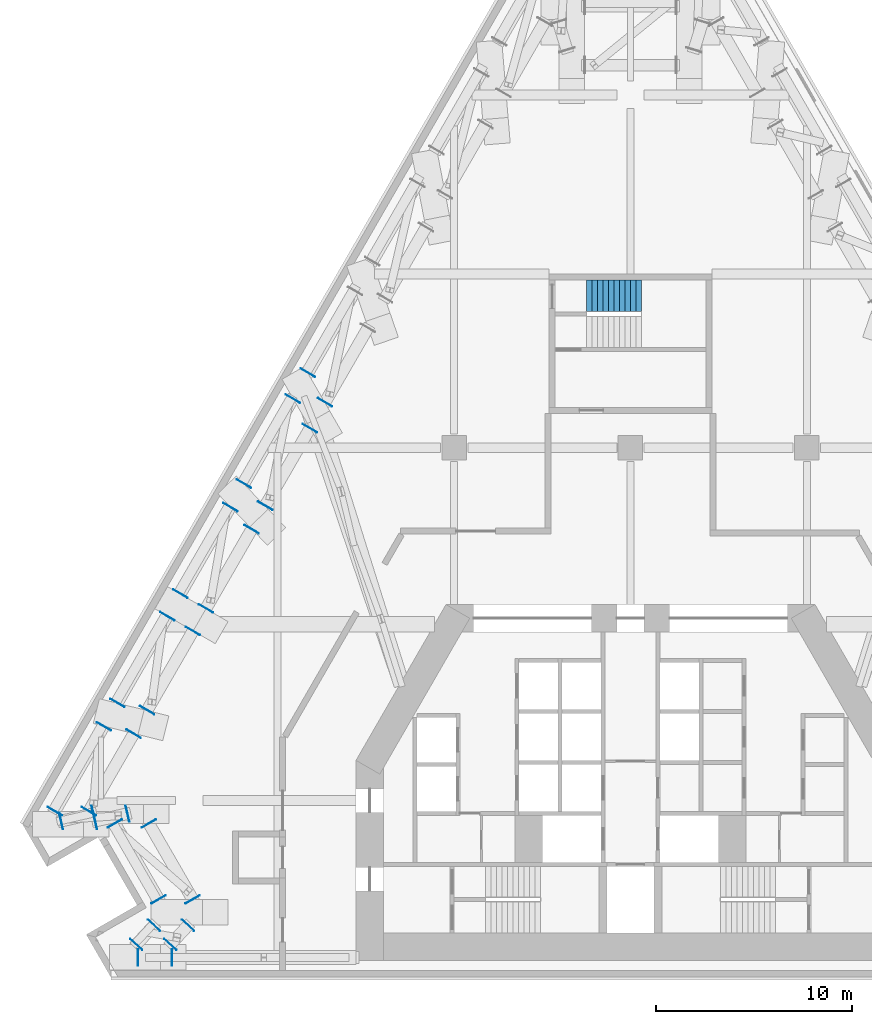
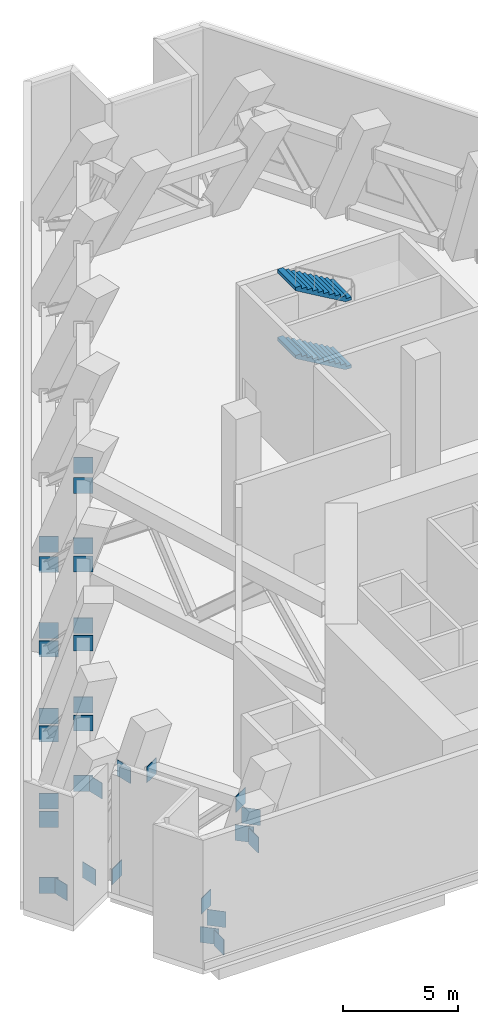
# One storey, part 9 of 12: 32 discrete accessories, 2 stair flights, 1 element without a shape of its own.
"""IFC4 building model written with IfcOpenShell, lengths in metres."""

from ifc_helpers import new_model, si_unit, direction, frame, origin, origin_2d, place, context, subcontext, project, spatial, polyline, rectangle, outline, extrude, material, layer, layer_set, type_object, element, aggregate, save


model = new_model("IFC4")

# Units and contexts
model_context = context("Model", 3, precision=1e-05, world=origin(), true_north=direction((0.0, 1.0)))
body_context = subcontext(model_context, "Body", "Model", "MODEL_VIEW")
ifc_project = project(units=[si_unit("LENGTHUNIT", "METRE"), si_unit("AREAUNIT", "SQUARE_METRE"), si_unit("VOLUMEUNIT", "CUBIC_METRE"), si_unit("PLANEANGLEUNIT", "RADIAN"), si_unit("MASSUNIT", "GRAM", prefix="KILO")], contexts=[model_context])

# Site, building, storey
site_placement = place(None, origin())
site = spatial("IfcSite", under=ifc_project, at=site_placement, CompositionType="ELEMENT")
building_placement = place(site_placement, origin())
building = spatial("IfcBuilding", under=site, at=building_placement, Name="Fogline Exchange Tower", CompositionType="ELEMENT")
storey_placement = place(building_placement, frame((0.0, 0.0, 88.89990234375)))
storey = spatial("IfcBuildingStorey", under=building, at=storey_placement, Name="L19", CompositionType="ELEMENT", Elevation=88.89990234375)

# Stair, stair flights
ifc_material_1 = material(Name="Concrete C40", Category="concrete")
stair_type = type_object("IfcStairType", Name="STR44-1636", PredefinedType="HALF_TURN_STAIR", material=ifc_material_1)
stair_placement = place(storey_placement, origin())
stair = element("IfcStair", 1, at=stair_placement, inside=storey, type_object=stair_type, Name="Stair ST3", PredefinedType="HALF_TURN_STAIR")
stair_flight_type = type_object("IfcStairFlightType", Name="SF11-1636", PredefinedType="STRAIGHT", material=ifc_material_1)
stair_flight_1_placement = place(storey_placement, frame((0.550048828125, 34.757080078125, 1.800048828125), z_axis=(0.0, 0.0, 1.0), x_axis=(-1.0, 0.0, 0.0)))
stair_flight_1 = element("IfcStairFlight", 2, at=stair_flight_1_placement, type_object=stair_flight_type, Name="ST3 flight 2", NumberOfRisers=11, NumberOfTreads=10, PredefinedType="STRAIGHT", RiserHeight=0.163636364, TreadLength=0.28, context=body_context, shape_type="SweptSolid", body=[
    extrude(outline(polyline([(0.0, 0.0), (0.0, 0.16357421875), (0.280029296875, 0.16357421875), (0.280029296875, 0.327392578125), (0.56005859375, 0.327392578125), (0.56005859375, 0.490966796875), (0.840087890625, 0.490966796875), (0.840087890625, 0.654541015625), (1.1201171875, 0.654541015625), (1.1201171875, 0.818115234375), (1.39990234375, 0.818115234375), (1.39990234375, 0.98193359375), (1.679931640625, 0.98193359375), (1.679931640625, 1.1455078125), (1.9599609375, 1.1455078125), (1.9599609375, 1.30908203125), (2.239990234375, 1.30908203125), (2.239990234375, 1.47265625), (2.52001953125, 1.47265625), (2.52001953125, 1.636474609375), (2.800048828125, 1.636474609375), (2.800048828125, 1.800048828125), (2.800048828125, 1.462646484375), (0.297119140625, 0.0), (0.0, 0.0)])), frame((0.0, 0.800048828125, 0.0), z_axis=(0.0, -1.0, 0.0), x_axis=(1.0, 0.0, 0.0)), (0.0, 0.0, 1.0), 1.60009765625),
])
stair_flight_2_placement = place(storey_placement, frame((0.550048828125, 34.757080078125, 5.400146484375), z_axis=(0.0, 0.0, 1.0), x_axis=(-1.0, 0.0, 0.0)))
stair_flight_2 = element("IfcStairFlight", 3, at=stair_flight_2_placement, type_object=stair_flight_type, Name="ST3 flight 4", NumberOfRisers=11, NumberOfTreads=10, PredefinedType="STRAIGHT", RiserHeight=0.163636364, TreadLength=0.28, context=body_context, shape_type="SweptSolid", body=[
    extrude(outline(polyline([(0.0, 0.0), (0.0, 0.16357421875), (0.280029296875, 0.16357421875), (0.280029296875, 0.327392578125), (0.56005859375, 0.327392578125), (0.56005859375, 0.490966796875), (0.840087890625, 0.490966796875), (0.840087890625, 0.654541015625), (1.1201171875, 0.654541015625), (1.1201171875, 0.818115234375), (1.39990234375, 0.818115234375), (1.39990234375, 0.98193359375), (1.679931640625, 0.98193359375), (1.679931640625, 1.1455078125), (1.9599609375, 1.1455078125), (1.9599609375, 1.30908203125), (2.239990234375, 1.30908203125), (2.239990234375, 1.47265625), (2.52001953125, 1.47265625), (2.52001953125, 1.636474609375), (2.800048828125, 1.636474609375), (2.800048828125, 1.800048828125), (2.800048828125, 1.462646484375), (0.297119140625, 0.0), (0.0, 0.0)])), frame((0.0, 0.800048828125, 0.0), z_axis=(0.0, -1.0, 0.0), x_axis=(1.0, 0.0, 0.0)), (0.0, 0.0, 1.0), 1.60009765625),
])
aggregate(stair, [stair_flight_1, stair_flight_2])

# Discrete accessories
ifc_material_2 = material(Name="Steel Q355B", Category="steel")
ifc_layer = layer(ifc_material_2, 0.030029296875)
ifc_layer_set = layer_set([ifc_layer], Name="BE01")
discrete_accessory_type = type_object("IfcDiscreteAccessoryType", Name="BE01", PredefinedType="USERDEFINED", material=ifc_layer_set)
for number, where, z_axis, x_axis, name in (
    (4, (-29.041259765625, 7.9560546875, -0.1201171875), (0.0, 0.0, 1.0), (-0.974742877599, -0.223330075383, 0.0), "Belt truss chord end plate BT1-1-BC"),
    (5, (-27.3935546875, 8.33349609375, -0.1201171875), (0.0, 0.0, 1.0), (0.974742877599, 0.223330075383, 0.0), "Belt truss chord end plate BT1-1-BC"),
    (6, (-27.303466796875, 7.9560546875, 4.68017578125), (0.0, 0.0, 1.0), (-0.974742877599, -0.223330075383, 0.0), "Belt truss chord end plate BT1-1-TC"),
    (7, (-25.65576171875, 8.33349609375, 4.68017578125), (0.0, 0.0, 1.0), (0.974742877599, 0.223330075383, 0.0), "Belt truss chord end plate BT1-1-TC"),
    (8, (-26.304931640625, 7.832275390625, -0.1201171875), (0.0, 0.0, 1.0), (-0.5, 0.866025403784, 0.0), "Belt truss chord end plate BT2-1-BC"),
    (9, (-24.070556640625, 3.9619140625, -0.1201171875), (0.0, 0.0, 1.0), (0.5, -0.866025403784, 0.0), "Belt truss chord end plate BT2-1-BC"),
    (10, (-24.567138671875, 7.832275390625, 4.68017578125), (0.0, 0.0, 1.0), (-0.5, 0.866025403784, 0.0), "Belt truss chord end plate BT2-1-TC"),
    (11, (-22.332763671875, 3.9619140625, 4.68017578125), (0.0, 0.0, 1.0), (0.5, -0.866025403784, 0.0), "Belt truss chord end plate BT2-1-TC"),
    (12, (-24.302001953125, 2.63818359375, -0.1201171875), (0.0, 0.0, 1.0), (0.68078095751, 0.732487056467, 0.0), "Belt truss chord end plate BT3-1-BC"),
    (13, (-25.210205078125, 1.660888671875, -0.1201171875), (0.0, 0.0, 1.0), (-0.68078095751, -0.732487056467, 0.0), "Belt truss chord end plate BT3-1-BC"),
    (14, (-22.564208984375, 2.63818359375, 4.68017578125), (0.0, 0.0, 1.0), (0.68078095751, 0.732487056467, 0.0), "Belt truss chord end plate BT3-1-TC"),
    (15, (-23.472412109375, 1.660888671875, 4.68017578125), (0.0, 0.0, 1.0), (-0.68078095751, -0.732487056467, 0.0), "Belt truss chord end plate BT3-1-TC"),
    (16, (-25.1181640625, 1.0, -0.1201171875), (0.0, 0.0, 1.0), (-1.0, 0.0, 0.0), "Belt truss chord end plate BT4-1-BC"),
    (17, (-23.38037109375, 1.0, 4.68017578125), (0.0, 0.0, 1.0), (-1.0, 0.0, 0.0), "Belt truss chord end plate BT4-1-TC"),
    (18, (-16.4521484375, 30.822021484375, -0.1201171875), (0.0, 0.0, 1.0), (-0.5, -0.866025403784, 0.0), "Belt truss chord end plate BT22-1-BC"),
    (19, (-15.583251953125, 29.31689453125, 4.68017578125), (0.0, 0.0, 1.0), (-0.5, -0.866025403784, 0.0), "Belt truss chord end plate BT22-1-TC"),
    (20, (-17.2177734375, 29.495849609375, -0.1201171875), (0.0, 0.0, 1.0), (0.5, 0.866025403784, 0.0), "Belt truss chord end plate BT23-1-BC"),
    (21, (-19.71728515625, 25.16650390625, -0.1201171875), (0.0, 0.0, 1.0), (-0.5, -0.866025403784, 0.0), "Belt truss chord end plate BT23-1-BC"),
    (22, (-16.348876953125, 27.990966796875, 4.68017578125), (0.0, 0.0, 1.0), (0.5, 0.866025403784, 0.0), "Belt truss chord end plate BT23-1-TC"),
    (23, (-18.631103515625, 24.037841796875, 4.68017578125), (0.0, 0.0, 1.0), (-0.5, -0.866025403784, 0.0), "Belt truss chord end plate BT23-1-TC"),
    (24, (-20.40869140625, 23.96875, -0.1201171875), (0.0, 0.0, 1.0), (0.5, 0.866025403784, 0.0), "Belt truss chord end plate BT24-1-BC"),
    (25, (-22.95849609375, 19.552490234375, -0.1201171875), (0.0, 0.0, 1.0), (-0.5, -0.866025403784, 0.0), "Belt truss chord end plate BT24-1-BC"),
    (26, (-19.322509765625, 22.840087890625, 4.68017578125), (0.0, 0.0, 1.0), (0.5, 0.866025403784, 0.0), "Belt truss chord end plate BT24-1-TC"),
    (27, (-21.655029296875, 18.800048828125, 4.68017578125), (0.0, 0.0, 1.0), (-0.5, -0.866025403784, 0.0), "Belt truss chord end plate BT24-1-TC"),
    (28, (-23.62353515625, 18.400634765625, -0.1201171875), (0.0, 0.0, 1.0), (0.5, 0.866025403784, 0.0), "Belt truss chord end plate BT25-1-BC"),
    (29, (-26.17333984375, 13.984375, -0.1201171875), (0.0, 0.0, 1.0), (-0.5, -0.866025403784, 0.0), "Belt truss chord end plate BT25-1-BC"),
    (30, (-22.320068359375, 17.648193359375, 4.68017578125), (0.0, 0.0, 1.0), (0.5, 0.866025403784, 0.0), "Belt truss chord end plate BT25-1-TC"),
    (31, (-24.652587890625, 13.60791015625, 4.68017578125), (0.0, 0.0, 1.0), (-0.5, -0.866025403784, 0.0), "Belt truss chord end plate BT25-1-TC"),
    (32, (-26.86474609375, 12.78662109375, -0.1201171875), (0.0, 0.0, 1.0), (0.5, 0.866025403784, 0.0), "Belt truss chord end plate BT26-1-BC"),
    (33, (-29.3642578125, 8.457275390625, -0.1201171875), (0.0, 0.0, 1.0), (-0.5, -0.866025403784, 0.0), "Belt truss chord end plate BT26-1-BC"),
    (34, (-25.34423828125, 12.41015625, 4.68017578125), (0.0, 0.0, 1.0), (0.5, 0.866025403784, 0.0), "Belt truss chord end plate BT26-1-TC"),
    (35, (-27.62646484375, 8.457275390625, 4.68017578125), (0.0, 0.0, 1.0), (-0.5, -0.866025403784, 0.0), "Belt truss chord end plate BT26-1-TC"),
):
    element("IfcDiscreteAccessory", number, at=place(storey_placement, frame(where, z_axis=z_axis, x_axis=x_axis)), inside=storey, type_object=discrete_accessory_type, Name=name, ObjectType="END PLATE", PredefinedType="USERDEFINED", context=body_context, shape_type="SweptSolid", body=[
        extrude(rectangle(XDim=0.030029296875, YDim=0.840087890625, at=origin_2d()), origin(), (0.0, 0.0, 1.0), 0.840087890625),
    ])

save(model, "model.ifc")
